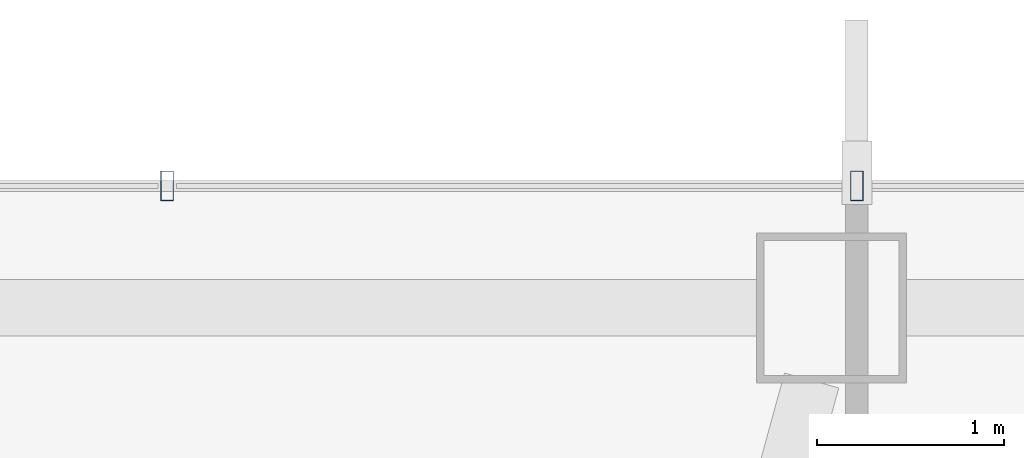
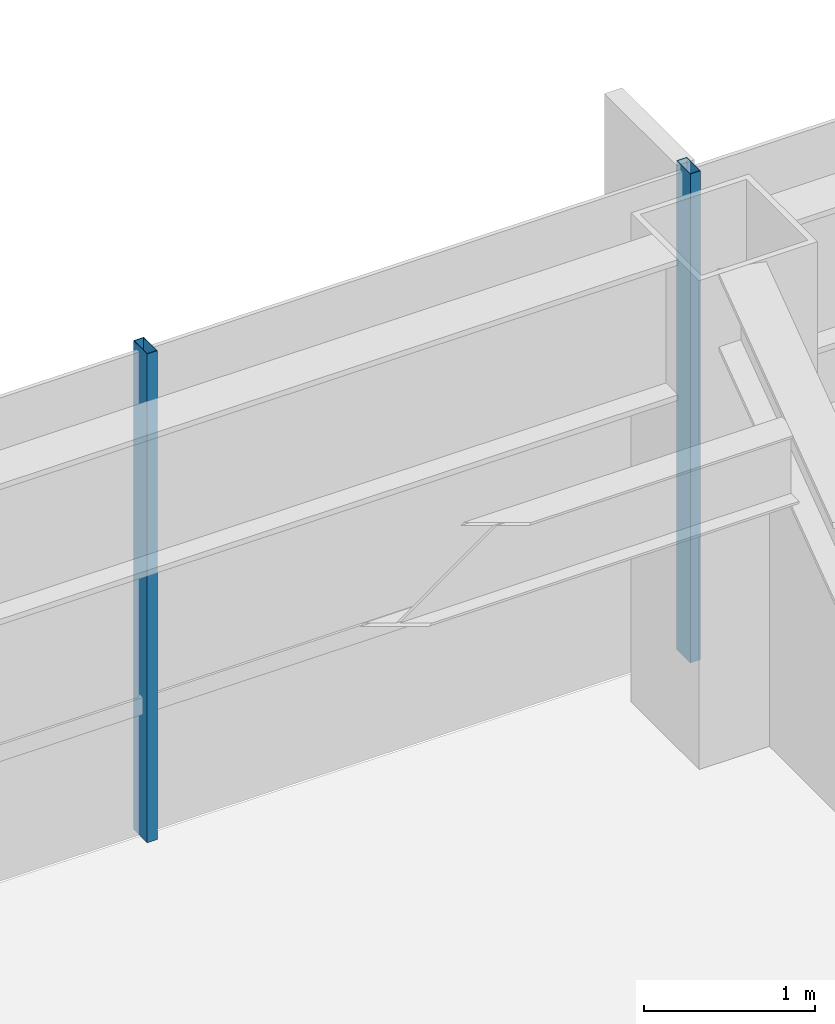
# One storey, part 15 of 28: 2 members, 1 element without a shape of its own.
"""IFC4 building model written with IfcOpenShell, lengths in metres."""

from ifc_helpers import new_model, si_unit, direction, frame, origin, origin_2d, place, context, subcontext, project, spatial, hollow_rectangle, extrude, material, layer, layer_set, material_profile, profile_set, type_object, element, aggregate, save


model = new_model("IFC4")

# Units and contexts
model_context = context("Model", 3, precision=1e-05, world=origin(), true_north=direction((0.0, 1.0)))
body_context = subcontext(model_context, "Body", "Model", "MODEL_VIEW")
ifc_project = project(units=[si_unit("LENGTHUNIT", "METRE"), si_unit("AREAUNIT", "SQUARE_METRE"), si_unit("VOLUMEUNIT", "CUBIC_METRE"), si_unit("PLANEANGLEUNIT", "RADIAN"), si_unit("MASSUNIT", "GRAM", prefix="KILO")], contexts=[model_context])

# Site, building, storey
site_placement = place(None, origin())
site = spatial("IfcSite", under=ifc_project, at=site_placement, CompositionType="ELEMENT")
building_placement = place(site_placement, origin())
building = spatial("IfcBuilding", under=site, at=building_placement, Name="Zarrinselat Tower", CompositionType="ELEMENT")
storey_placement = place(building_placement, frame((0.0, 0.0, 127.159912109375)))
storey = spatial("IfcBuildingStorey", under=building, at=storey_placement, Name="L30", CompositionType="ELEMENT", Elevation=127.159912109375)

# Curtain wall, members
ifc_material_1 = material(Name="Extruded Aluminium Alloy EN AW-6063 T6", Category="aluminium")
ifc_layer = layer(ifc_material_1, 0.175048828125)
ifc_layer_set = layer_set([ifc_layer], Name="Extruded Aluminium Alloy EN AW-6063 T6")
curtain_wall_type = type_object("IfcCurtainWallType", Name="CWS-HTL", PredefinedType="NOTDEFINED", material=ifc_layer_set)
curtain_wall_placement = place(storey_placement, origin())
curtain_wall = element("IfcCurtainWall", 1, at=curtain_wall_placement, inside=storey, type_object=curtain_wall_type, Name="L30 Unitised Curtain Wall CW-L30-E01", PredefinedType="NOTDEFINED")
ifc_material_2 = material(Name="Extruded Aluminium Alloy EN AW-6063 T6", Category="aluminium")
ifc_material_profile = material_profile(ifc_material_2, hollow_rectangle(XDim=0.070068359375, YDim=0.159912109375, WallThickness=0.00390625, at=origin_2d()), Name="RHS 160x70x4")
ifc_profile_set = profile_set([ifc_material_profile], Name="Extruded Aluminium Alloy EN AW-6063 T6")
member_type = type_object("IfcMemberType", Name="MEM-CW-MUL2", PredefinedType="MULLION", material=ifc_profile_set)
member_1_placement = place(storey_placement, frame((47.300048828125, 49.2666015625, 0.0), z_axis=(0.0, 0.0, 1.0), x_axis=(-1.0, 0.0, 0.0)))
member_1 = element("IfcMember", 2, at=member_1_placement, type_object=member_type, Name="CW-L30-E01 Mullion 3", PredefinedType="MULLION", context=body_context, shape_type="SweptSolid", body=[
    extrude(hollow_rectangle(XDim=0.070068359375, YDim=0.159912109375, WallThickness=0.00390625, at=origin_2d()), origin(), (0.0, 0.0, 1.0), 3.5),
])
member_2_placement = place(storey_placement, frame((43.62109375, 49.2666015625, 0.0), z_axis=(0.0, 0.0, 1.0), x_axis=(-1.0, 0.0, 0.0)))
member_2 = element("IfcMember", 3, at=member_2_placement, type_object=member_type, Name="CW-L30-E01 Mullion 4", PredefinedType="MULLION", context=body_context, shape_type="SweptSolid", body=[
    extrude(hollow_rectangle(XDim=0.070068359375, YDim=0.159912109375, WallThickness=0.00390625, at=origin_2d()), origin(), (0.0, 0.0, 1.0), 3.5),
])
aggregate(curtain_wall, [member_1, member_2])

save(model, "model.ifc")
